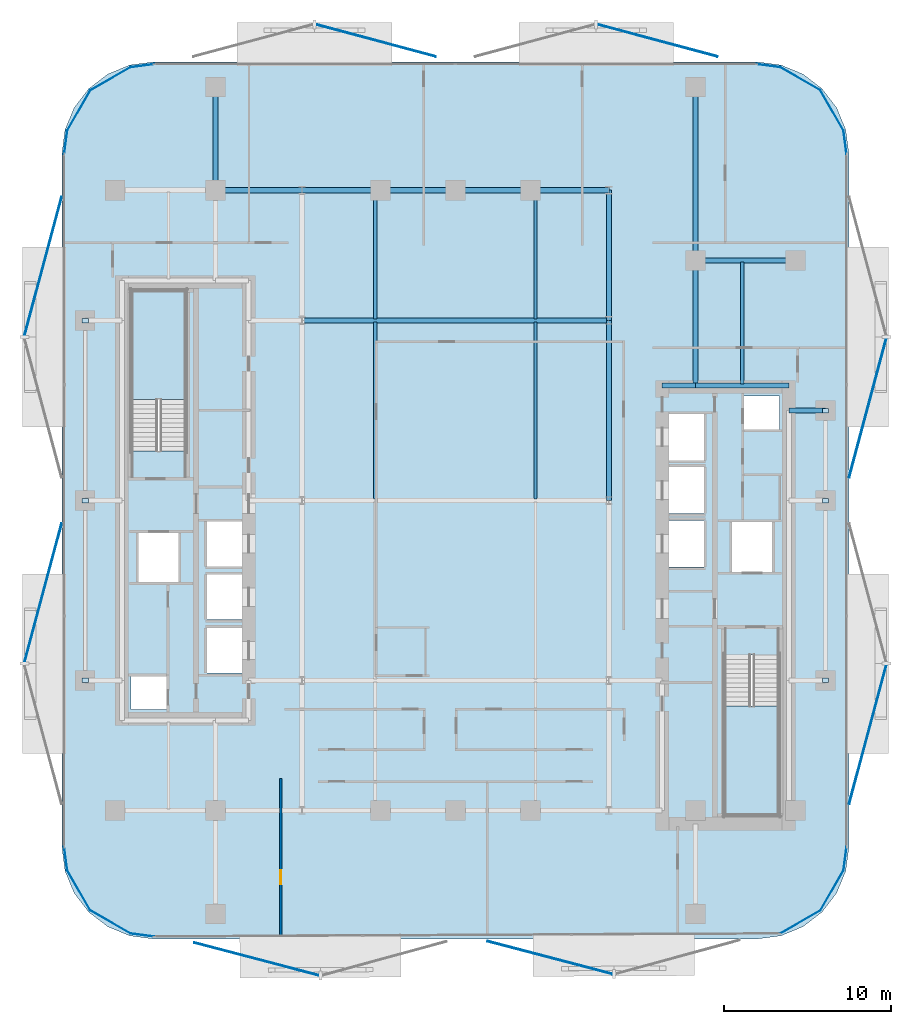
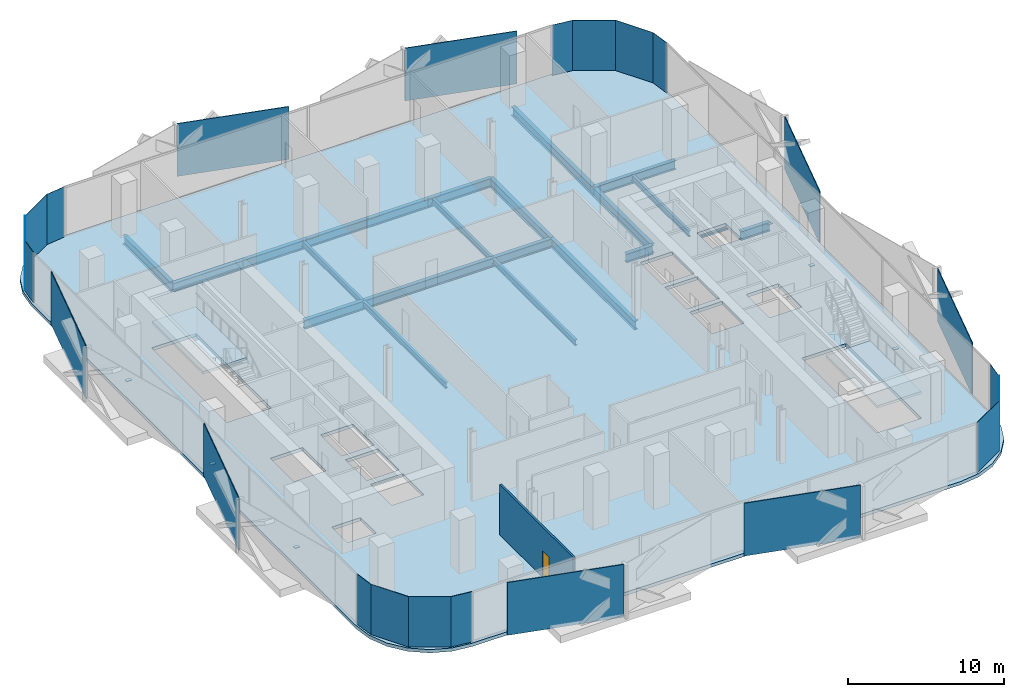
# One storey, part 2 of 15: 29 plates, 20 beams, 3 slabs, 1 door, 1 wall, 1 opening, 2 elements without a shape of their own.
"""IFC4 building model written with IfcOpenShell, lengths in metres."""

from ifc_helpers import new_model, si_unit, direction, frame, frame_2d, origin, origin_2d, place, context, subcontext, project, spatial, polyline, rectangle, i_section, outline, extrude, material, layer, layer_set, material_profile, profile_set, type_object, element, fill, aggregate, save


model = new_model("IFC4")

# Units and contexts
model_context = context("Model", 3, precision=1e-05, world=origin(), true_north=direction((0.0, 1.0)))
body_context = subcontext(model_context, "Body", "Model", "MODEL_VIEW")
ifc_project = project(units=[si_unit("LENGTHUNIT", "METRE"), si_unit("AREAUNIT", "SQUARE_METRE"), si_unit("VOLUMEUNIT", "CUBIC_METRE"), si_unit("PLANEANGLEUNIT", "RADIAN"), si_unit("MASSUNIT", "GRAM", prefix="KILO")], contexts=[model_context])

# Site, building, storey
site_placement = place(None, origin())
site = spatial("IfcSite", under=ifc_project, at=site_placement, CompositionType="ELEMENT")
building_placement = place(site_placement, origin())
building = spatial("IfcBuilding", under=site, at=building_placement, Name="Khairoan Windgate Tower", CompositionType="ELEMENT")
storey_placement = place(building_placement, frame((0.0, 0.0, 122.60009765625)))
storey = spatial("IfcBuildingStorey", under=building, at=storey_placement, Name="L28", CompositionType="ELEMENT", Elevation=122.60009765625)

# Beams
ifc_material_1 = material(Name="Steel S355", Category="steel")
ifc_material_profile_1 = material_profile(ifc_material_1, i_section(OverallWidth=0.300048828125, OverallDepth=0.699951171875, WebThickness=0.012939453125, FlangeThickness=0.02392578125, FilletRadius=0.02587890625, at=origin_2d()))
ifc_profile_set_1 = profile_set([ifc_material_profile_1], Name="Steel S355")
beam_type_1 = type_object("IfcBeamType", Name="Beam B-G3 H700x300x13x24", PredefinedType="BEAM", material=ifc_profile_set_1)
beam_1_placement = place(storey_placement, frame((20.0, 5.39990234375, -0.610107421875), z_axis=(1.0, 0.0, 0.0), x_axis=(0.0, 1.0, 0.0)))
element("IfcBeam", 1, at=beam_1_placement, inside=storey, type_object=beam_type_1, Name="L28 E-W Primary Girder 19", PredefinedType="BEAM", context=body_context, shape_type="SweptSolid", body=[
    extrude(i_section(OverallWidth=0.300048828125, OverallDepth=0.699951171875, WebThickness=0.012939453125, FlangeThickness=0.02392578125, FilletRadius=0.02587890625, at=origin_2d()), origin(), (0.0, 0.0, 1.0), 2.199951171875),
])
beam_2_placement = place(storey_placement, frame((12.39990234375, 6.89990234375, -0.610107421875), z_axis=(1.0, 0.0, 0.0), x_axis=(0.0, 1.0, 0.0)))
element("IfcBeam", 2, at=beam_2_placement, inside=storey, type_object=beam_type_1, Name="L28 E-W Primary Girder 20", PredefinedType="BEAM", context=body_context, shape_type="SweptSolid", body=[
    extrude(i_section(OverallWidth=0.300048828125, OverallDepth=0.699951171875, WebThickness=0.012939453125, FlangeThickness=0.02392578125, FilletRadius=0.02587890625, at=origin_2d()), origin(), (0.0, 0.0, 1.0), 2.0),
])
beam_3_placement = place(storey_placement, frame((14.39990234375, 6.89990234375, -0.610107421875), z_axis=(1.0, 0.0, 0.0), x_axis=(0.0, 1.0, 0.0)))
element("IfcBeam", 3, at=beam_3_placement, inside=storey, type_object=beam_type_1, Name="L28 E-W Primary Girder 21", PredefinedType="BEAM", context=body_context, shape_type="SweptSolid", body=[
    extrude(i_section(OverallWidth=0.300048828125, OverallDepth=0.699951171875, WebThickness=0.012939453125, FlangeThickness=0.02392578125, FilletRadius=0.02587890625, at=origin_2d()), origin(), (0.0, 0.0, 1.0), 5.60009765625),
])
beam_4_placement = place(storey_placement, frame((-9.199951171875, 10.800048828125, -0.610107421875), z_axis=(1.0, 0.0, 0.0), x_axis=(0.0, 1.0, 0.0)))
element("IfcBeam", 4, at=beam_4_placement, inside=storey, type_object=beam_type_1, Name="L28 E-W Primary Girder 24", PredefinedType="BEAM", context=body_context, shape_type="SweptSolid", body=[
    extrude(i_section(OverallWidth=0.300048828125, OverallDepth=0.699951171875, WebThickness=0.012939453125, FlangeThickness=0.02392578125, FilletRadius=0.02587890625, at=origin_2d()), origin(), (0.0, 0.0, 1.0), 18.39990234375),
])
beam_5_placement = place(storey_placement, frame((14.39990234375, 14.39990234375, -0.610107421875), z_axis=(1.0, 0.0, 0.0), x_axis=(0.0, 1.0, 0.0)))
element("IfcBeam", 5, at=beam_5_placement, inside=storey, type_object=beam_type_1, Name="L28 E-W Primary Girder 27", PredefinedType="BEAM", context=body_context, shape_type="SweptSolid", body=[
    extrude(i_section(OverallWidth=0.300048828125, OverallDepth=0.699951171875, WebThickness=0.012939453125, FlangeThickness=0.02392578125, FilletRadius=0.02587890625, at=origin_2d()), origin(), (0.0, 0.0, 1.0), 6.0),
])
beam_6_placement = place(storey_placement, frame((-14.39990234375, 18.60009765625, -0.610107421875), z_axis=(1.0, 0.0, 0.0), x_axis=(0.0, 1.0, 0.0)))
element("IfcBeam", 6, at=beam_6_placement, inside=storey, type_object=beam_type_1, Name="L28 E-W Primary Girder 29", PredefinedType="BEAM", context=body_context, shape_type="SweptSolid", body=[
    extrude(i_section(OverallWidth=0.300048828125, OverallDepth=0.699951171875, WebThickness=0.012939453125, FlangeThickness=0.02392578125, FilletRadius=0.02587890625, at=origin_2d()), origin(), (0.0, 0.0, 1.0), 5.199951171875),
])
beam_7_placement = place(storey_placement, frame((-9.199951171875, 18.60009765625, -0.610107421875), z_axis=(1.0, 0.0, 0.0), x_axis=(0.0, 1.0, 0.0)))
element("IfcBeam", 7, at=beam_7_placement, inside=storey, type_object=beam_type_1, Name="L28 E-W Primary Girder 30", PredefinedType="BEAM", context=body_context, shape_type="SweptSolid", body=[
    extrude(i_section(OverallWidth=0.300048828125, OverallDepth=0.699951171875, WebThickness=0.012939453125, FlangeThickness=0.02392578125, FilletRadius=0.02587890625, at=origin_2d()), origin(), (0.0, 0.0, 1.0), 4.699951171875),
])
for number, where, z_axis, x_axis, name in (
    (8, (-4.5, 18.60009765625, -0.610107421875), (1.0, 0.0, 0.0), (0.0, 1.0, 0.0), "L28 E-W Primary Girder 31"),
    (9, (0.0, 18.60009765625, -0.610107421875), (1.0, 0.0, 0.0), (0.0, 1.0, 0.0), "L28 E-W Primary Girder 32"),
):
    element("IfcBeam", number, at=place(storey_placement, frame(where, z_axis=z_axis, x_axis=x_axis)), inside=storey, type_object=beam_type_1, Name=name, PredefinedType="BEAM", context=body_context, shape_type="SweptSolid", body=[
        extrude(i_section(OverallWidth=0.300048828125, OverallDepth=0.699951171875, WebThickness=0.012939453125, FlangeThickness=0.02392578125, FilletRadius=0.02587890625, at=origin_2d()), origin(), (0.0, 0.0, 1.0), 4.5),
    ])
beam_8_placement = place(storey_placement, frame((4.5, 18.60009765625, -0.610107421875), z_axis=(1.0, 0.0, 0.0), x_axis=(0.0, 1.0, 0.0)))
element("IfcBeam", 10, at=beam_8_placement, inside=storey, type_object=beam_type_1, Name="L28 E-W Primary Girder 33", PredefinedType="BEAM", context=body_context, shape_type="SweptSolid", body=[
    extrude(i_section(OverallWidth=0.300048828125, OverallDepth=0.699951171875, WebThickness=0.012939453125, FlangeThickness=0.02392578125, FilletRadius=0.02587890625, at=origin_2d()), origin(), (0.0, 0.0, 1.0), 4.699951171875),
])
beam_9_placement = place(storey_placement, frame((-14.39990234375, 18.60009765625, -0.610107421875), z_axis=(0.0, 1.0, 0.0), x_axis=(-1.0, 0.0, 0.0)))
element("IfcBeam", 11, at=beam_9_placement, inside=storey, type_object=beam_type_1, Name="L28 N-S Primary Beam 43", PredefinedType="BEAM", context=body_context, shape_type="SweptSolid", body=[
    extrude(i_section(OverallWidth=0.300048828125, OverallDepth=0.699951171875, WebThickness=0.012939453125, FlangeThickness=0.02392578125, FilletRadius=0.02587890625, at=origin_2d()), origin(), (0.0, 0.0, 1.0), 6.199951171875),
])
beam_10_placement = place(storey_placement, frame((9.199951171875, 0.0, -0.610107421875), z_axis=(0.0, 1.0, 0.0), x_axis=(-1.0, 0.0, 0.0)))
element("IfcBeam", 12, at=beam_10_placement, inside=storey, type_object=beam_type_1, Name="L28 N-S Primary Beam 53", PredefinedType="BEAM", context=body_context, shape_type="SweptSolid", body=[
    extrude(i_section(OverallWidth=0.300048828125, OverallDepth=0.699951171875, WebThickness=0.012939453125, FlangeThickness=0.02392578125, FilletRadius=0.02587890625, at=origin_2d()), origin(), (0.0, 0.0, 1.0), 10.800048828125),
])
beam_11_placement = place(storey_placement, frame((9.199951171875, 10.800048828125, -0.610107421875), z_axis=(0.0, 1.0, 0.0), x_axis=(-1.0, 0.0, 0.0)))
element("IfcBeam", 13, at=beam_11_placement, inside=storey, type_object=beam_type_1, Name="L28 N-S Primary Beam 54", PredefinedType="BEAM", context=body_context, shape_type="SweptSolid", body=[
    extrude(i_section(OverallWidth=0.300048828125, OverallDepth=0.699951171875, WebThickness=0.012939453125, FlangeThickness=0.02392578125, FilletRadius=0.02587890625, at=origin_2d()), origin(), (0.0, 0.0, 1.0), 7.800048828125),
])
beam_12_placement = place(storey_placement, frame((14.39990234375, 6.89990234375, -0.610107421875), z_axis=(0.0, 1.0, 0.0), x_axis=(-1.0, 0.0, 0.0)))
element("IfcBeam", 14, at=beam_12_placement, inside=storey, type_object=beam_type_1, Name="L28 N-S Primary Beam 57", PredefinedType="BEAM", context=body_context, shape_type="SweptSolid", body=[
    extrude(i_section(OverallWidth=0.300048828125, OverallDepth=0.699951171875, WebThickness=0.012939453125, FlangeThickness=0.02392578125, FilletRadius=0.02587890625, at=origin_2d()), origin(), (0.0, 0.0, 1.0), 7.5),
])
beam_13_placement = place(storey_placement, frame((14.39990234375, 14.39990234375, -0.610107421875), z_axis=(0.0, 1.0, 0.0), x_axis=(-1.0, 0.0, 0.0)))
element("IfcBeam", 15, at=beam_13_placement, inside=storey, type_object=beam_type_1, Name="L28 N-S Primary Beam 58", PredefinedType="BEAM", context=body_context, shape_type="SweptSolid", body=[
    extrude(i_section(OverallWidth=0.300048828125, OverallDepth=0.699951171875, WebThickness=0.012939453125, FlangeThickness=0.02392578125, FilletRadius=0.02587890625, at=origin_2d()), origin(), (0.0, 0.0, 1.0), 10.400146484375),
])
ifc_material_2 = material(Name="Steel S355", Category="steel")
ifc_material_profile_2 = material_profile(ifc_material_2, i_section(OverallWidth=0.199951171875, OverallDepth=0.449951171875, WebThickness=0.009033203125, FlangeThickness=0.013916015625, FilletRadius=0.01806640625, at=origin_2d()))
ifc_profile_set_2 = profile_set([ifc_material_profile_2], Name="Steel S355")
beam_type_2 = type_object("IfcBeamType", Name="Beam J-S3 H450x200x9x14", PredefinedType="JOIST", material=ifc_profile_set_2)
beam_14_placement = place(storey_placement, frame((-4.800048828125, 0.090087890625, -0.485107421875), z_axis=(0.0, 1.0, 0.0), x_axis=(-1.0, 0.0, 0.0)))
element("IfcBeam", 16, at=beam_14_placement, inside=storey, type_object=beam_type_2, Name="L28 Secondary Floor Joist 05", PredefinedType="JOIST", context=body_context, shape_type="SweptSolid", body=[
    extrude(i_section(OverallWidth=0.199951171875, OverallDepth=0.449951171875, WebThickness=0.009033203125, FlangeThickness=0.013916015625, FilletRadius=0.01806640625, at=origin_2d()), origin(), (0.0, 0.0, 1.0), 10.619873046875),
])
beam_15_placement = place(storey_placement, frame((-4.800048828125, 10.889892578125, -0.485107421875), z_axis=(0.0, 1.0, 0.0), x_axis=(-1.0, 0.0, 0.0)))
element("IfcBeam", 17, at=beam_15_placement, inside=storey, type_object=beam_type_2, Name="L28 Secondary Floor Joist 06", PredefinedType="JOIST", context=body_context, shape_type="SweptSolid", body=[
    extrude(i_section(OverallWidth=0.199951171875, OverallDepth=0.449951171875, WebThickness=0.009033203125, FlangeThickness=0.013916015625, FilletRadius=0.01806640625, at=origin_2d()), origin(), (0.0, 0.0, 1.0), 7.6201171875),
])
beam_16_placement = place(storey_placement, frame((4.800048828125, 0.090087890625, -0.485107421875), z_axis=(0.0, 1.0, 0.0), x_axis=(-1.0, 0.0, 0.0)))
element("IfcBeam", 18, at=beam_16_placement, inside=storey, type_object=beam_type_2, Name="L28 Secondary Floor Joist 09", PredefinedType="JOIST", context=body_context, shape_type="SweptSolid", body=[
    extrude(i_section(OverallWidth=0.199951171875, OverallDepth=0.449951171875, WebThickness=0.009033203125, FlangeThickness=0.013916015625, FilletRadius=0.01806640625, at=origin_2d()), origin(), (0.0, 0.0, 1.0), 10.619873046875),
])
beam_17_placement = place(storey_placement, frame((4.800048828125, 10.889892578125, -0.485107421875), z_axis=(0.0, 1.0, 0.0), x_axis=(-1.0, 0.0, 0.0)))
element("IfcBeam", 19, at=beam_17_placement, inside=storey, type_object=beam_type_2, Name="L28 Secondary Floor Joist 10", PredefinedType="JOIST", context=body_context, shape_type="SweptSolid", body=[
    extrude(i_section(OverallWidth=0.199951171875, OverallDepth=0.449951171875, WebThickness=0.009033203125, FlangeThickness=0.013916015625, FilletRadius=0.01806640625, at=origin_2d()), origin(), (0.0, 0.0, 1.0), 7.6201171875),
])
beam_18_placement = place(storey_placement, frame((17.199951171875, 6.989990234375, -0.485107421875), z_axis=(0.0, 1.0, 0.0), x_axis=(-1.0, 0.0, 0.0)))
element("IfcBeam", 20, at=beam_18_placement, inside=storey, type_object=beam_type_2, Name="L28 Secondary Floor Joist 11", PredefinedType="JOIST", context=body_context, shape_type="SweptSolid", body=[
    extrude(i_section(OverallWidth=0.199951171875, OverallDepth=0.449951171875, WebThickness=0.009033203125, FlangeThickness=0.013916015625, FilletRadius=0.01806640625, at=origin_2d()), origin(), (0.0, 0.0, 1.0), 7.320068359375),
])

# Plates
ifc_material_3 = material(Name="Low-E Solar Control Laminated Glass", Category="glass")
ifc_layer_1 = layer(ifc_material_3, 0.030029296875, Name="Low-E Solar Control Laminated Glass")
ifc_layer_set_1 = layer_set([ifc_layer_1], Name="Low-E Solar Control Laminated Glass")
plate_type_1 = type_object("IfcPlateType", Name="Aerodynamic Wind-Corner Curved Glazing Plate", PredefinedType="USERDEFINED", material=ifc_layer_set_1)
plate_placement = place(storey_placement, frame((-18.788818359375, -26.068115234375, 0.0), z_axis=(0.0, 0.0, 1.0), x_axis=(-0.991444861374, 0.13052619222, 0.0)))
element("IfcPlate", 21, at=plate_placement, inside=storey, type_object=plate_type_1, Name="L28 Aerodynamic Wind-Corner Curved Glazing Panel 2", ObjectType="GLAZING PANEL", PredefinedType="USERDEFINED", context=body_context, shape_type="SweptSolid", body=[
    extrude(rectangle(XDim=1.4482421875, YDim=0.028076171875, at=origin_2d()), origin(), (0.0, 0.0, 1.0), 3.93994140625),
])
for number, where, z_axis, x_axis, name in (
    (22, (-20.688232421875, -25.28271484375, 0.0), (0.0, 0.0, 1.0), (-0.866025403784, 0.5, 0.0), "L28 Aerodynamic Wind-Corner Curved Glazing Panel 3"),
    (23, (-22.582763671875, -23.38818359375, 0.0), (0.0, 0.0, 1.0), (-0.5, 0.866025403784, 0.0), "L28 Aerodynamic Wind-Corner Curved Glazing Panel 4"),
):
    element("IfcPlate", number, at=place(storey_placement, frame(where, z_axis=z_axis, x_axis=x_axis)), inside=storey, type_object=plate_type_1, Name=name, ObjectType="GLAZING PANEL", PredefinedType="USERDEFINED", context=body_context, shape_type="SweptSolid", body=[
        extrude(rectangle(XDim=2.81396484375, YDim=0.028076171875, at=origin_2d()), origin(), (0.0, 0.0, 1.0), 3.93994140625),
    ])
for number, where, z_axis, x_axis, name in (
    (24, (-23.3681640625, -21.489013671875, 0.0), (0.0, 0.0, 1.0), (-0.13052619222, 0.991444861374, 0.0), "L28 Aerodynamic Wind-Corner Curved Glazing Panel 5"),
    (25, (-23.3681640625, 21.489013671875, 0.0), (0.0, 0.0, 1.0), (0.13052619222, 0.991444861374, 0.0), "L28 Aerodynamic Wind-Corner Curved Glazing Panel 7"),
):
    element("IfcPlate", number, at=place(storey_placement, frame(where, z_axis=z_axis, x_axis=x_axis)), inside=storey, type_object=plate_type_1, Name=name, ObjectType="GLAZING PANEL", PredefinedType="USERDEFINED", context=body_context, shape_type="SweptSolid", body=[
        extrude(rectangle(XDim=1.4482421875, YDim=0.028076171875, at=origin_2d()), origin(), (0.0, 0.0, 1.0), 3.93994140625),
    ])
for number, where, z_axis, x_axis, name in (
    (26, (-22.582763671875, 23.38818359375, 0.0), (0.0, 0.0, 1.0), (0.5, 0.866025403784, 0.0), "L28 Aerodynamic Wind-Corner Curved Glazing Panel 8"),
    (27, (-20.688232421875, 25.28271484375, 0.0), (0.0, 0.0, 1.0), (0.866025403784, 0.5, 0.0), "L28 Aerodynamic Wind-Corner Curved Glazing Panel 9"),
):
    element("IfcPlate", number, at=place(storey_placement, frame(where, z_axis=z_axis, x_axis=x_axis)), inside=storey, type_object=plate_type_1, Name=name, ObjectType="GLAZING PANEL", PredefinedType="USERDEFINED", context=body_context, shape_type="SweptSolid", body=[
        extrude(rectangle(XDim=2.81396484375, YDim=0.028076171875, at=origin_2d()), origin(), (0.0, 0.0, 1.0), 3.93994140625),
    ])
for number, where, z_axis, x_axis, name in (
    (28, (-18.788818359375, 26.068115234375, 0.0), (0.0, 0.0, 1.0), (0.991444861374, 0.13052619222, 0.0), "L28 Aerodynamic Wind-Corner Curved Glazing Panel 10"),
    (29, (18.788818359375, 26.068115234375, 0.0), (0.0, 0.0, 1.0), (0.991444861374, -0.13052619222, 0.0), "L28 Aerodynamic Wind-Corner Curved Glazing Panel 12"),
):
    element("IfcPlate", number, at=place(storey_placement, frame(where, z_axis=z_axis, x_axis=x_axis)), inside=storey, type_object=plate_type_1, Name=name, ObjectType="GLAZING PANEL", PredefinedType="USERDEFINED", context=body_context, shape_type="SweptSolid", body=[
        extrude(rectangle(XDim=1.4482421875, YDim=0.028076171875, at=origin_2d()), origin(), (0.0, 0.0, 1.0), 3.93994140625),
    ])
for number, where, z_axis, x_axis, name in (
    (30, (20.688232421875, 25.28271484375, 0.0), (0.0, 0.0, 1.0), (0.866025403784, -0.5, 0.0), "L28 Aerodynamic Wind-Corner Curved Glazing Panel 13"),
    (31, (22.582763671875, 23.38818359375, 0.0), (0.0, 0.0, 1.0), (0.5, -0.866025403784, 0.0), "L28 Aerodynamic Wind-Corner Curved Glazing Panel 14"),
):
    element("IfcPlate", number, at=place(storey_placement, frame(where, z_axis=z_axis, x_axis=x_axis)), inside=storey, type_object=plate_type_1, Name=name, ObjectType="GLAZING PANEL", PredefinedType="USERDEFINED", context=body_context, shape_type="SweptSolid", body=[
        extrude(rectangle(XDim=2.81396484375, YDim=0.028076171875, at=origin_2d()), origin(), (0.0, 0.0, 1.0), 3.93994140625),
    ])
for number, where, z_axis, x_axis, name in (
    (32, (23.3681640625, 21.489013671875, 0.0), (0.0, 0.0, 1.0), (0.13052619222, -0.991444861374, 0.0), "L28 Aerodynamic Wind-Corner Curved Glazing Panel 15"),
    (33, (23.3681640625, -21.489013671875, 0.0), (0.0, 0.0, 1.0), (-0.13052619222, -0.991444861374, 0.0), "L28 Aerodynamic Wind-Corner Curved Glazing Panel 17"),
):
    element("IfcPlate", number, at=place(storey_placement, frame(where, z_axis=z_axis, x_axis=x_axis)), inside=storey, type_object=plate_type_1, Name=name, ObjectType="GLAZING PANEL", PredefinedType="USERDEFINED", context=body_context, shape_type="SweptSolid", body=[
        extrude(rectangle(XDim=1.4482421875, YDim=0.028076171875, at=origin_2d()), origin(), (0.0, 0.0, 1.0), 3.93994140625),
    ])
for number, where, z_axis, x_axis, name in (
    (34, (22.582763671875, -23.38818359375, 0.0), (0.0, 0.0, 1.0), (-0.5, -0.866025403784, 0.0), "L28 Aerodynamic Wind-Corner Curved Glazing Panel 18"),
    (35, (20.688232421875, -25.28271484375, 0.0), (0.0, 0.0, 1.0), (-0.866025403784, -0.5, 0.0), "L28 Aerodynamic Wind-Corner Curved Glazing Panel 19"),
):
    element("IfcPlate", number, at=place(storey_placement, frame(where, z_axis=z_axis, x_axis=x_axis)), inside=storey, type_object=plate_type_1, Name=name, ObjectType="GLAZING PANEL", PredefinedType="USERDEFINED", context=body_context, shape_type="SweptSolid", body=[
        extrude(rectangle(XDim=2.81396484375, YDim=0.028076171875, at=origin_2d()), origin(), (0.0, 0.0, 1.0), 3.93994140625),
    ])
ifc_material_4 = material(Name="Steel S355", Category="steel")
ifc_layer_2 = layer(ifc_material_4, 0.0400390625, Name="Steel S355")
ifc_layer_set_2 = layer_set([ifc_layer_2], Name="Steel S355")
plate_type_2 = type_object("IfcPlateType", Name="Hollow Section End-Cap Plate PL-CAP40", PredefinedType="SHEET", material=ifc_layer_set_2)
for number, where, z_axis, x_axis, name in (
    (36, (-22.199951171875, -10.784912109375, -0.455078125), (0.0, 0.0, 1.0), (0.0, 1.0, 0.0), "BM-SP-L28-034 steel end-cap plate 1"),
    (37, (-22.199951171875, -0.014892578125, -0.455078125), (0.0, 0.0, 1.0), (0.0, 1.0, 0.0), "BM-SP-L28-034 steel end-cap plate 2"),
    (38, (-22.199951171875, 10.784912109375, -0.455078125), (0.0, 0.0, 1.0), (0.0, 1.0, 0.0), "BM-SP-L28-035 steel end-cap plate 2"),
    (39, (22.199951171875, -10.784912109375, -0.455078125), (0.0, 0.0, 1.0), (0.0, 1.0, 0.0), "BM-SP-L28-062 steel end-cap plate 1"),
    (40, (22.199951171875, -0.014892578125, -0.455078125), (0.0, 0.0, 1.0), (0.0, 1.0, 0.0), "BM-SP-L28-062 steel end-cap plate 2"),
    (41, (22.199951171875, 5.385009765625, -0.455078125), (0.0, 0.0, 1.0), (0.0, 1.0, 0.0), "BM-SP-L28-063 steel end-cap plate 2"),
):
    element("IfcPlate", number, at=place(storey_placement, frame(where, z_axis=z_axis, x_axis=x_axis)), inside=storey, type_object=plate_type_2, Name=name, PredefinedType="SHEET", context=body_context, shape_type="SweptSolid", body=[
        extrude(rectangle(XDim=0.27001953125, YDim=0.3701171875, at=origin_2d()), origin(), (0.0, 0.0, 1.0), 0.0400390625),
    ])
ifc_material_5 = material(Name="Anodised Bronze Aluminium 6063-T6", Category="aluminium")
ifc_layer_3 = layer(ifc_material_5, 0.054931640625, Name="Anodised Bronze Aluminium 6063-T6")
ifc_layer_set_3 = layer_set([ifc_layer_3], Name="Anodised Bronze Aluminium 6063-T6")
plate_type_3 = type_object("IfcPlateType", Name="Perforated Bronze Solar Screen Panel BSP-1", PredefinedType="USERDEFINED", material=ifc_layer_set_3)
for number, where, z_axis, x_axis, name in (
    (42, (5.671630859375, -27.42236328125, -0.10009765625), (0.0, 0.0, 1.0), (-0.967179115616, 0.254095569259, 0.0), "L28 Perforated Bronze Solar Screen Panel 169R"),
    (43, (-11.917236328125, -27.50830078125, -0.10009765625), (0.0, 0.0, 1.0), (-0.967179115616, 0.254095569259, 0.0), "L28 Perforated Bronze Solar Screen Panel 170R"),
):
    element("IfcPlate", number, at=place(storey_placement, frame(where, z_axis=z_axis, x_axis=x_axis)), inside=storey, type_object=plate_type_3, Name=name, ObjectType="SCREEN", PredefinedType="USERDEFINED", context=body_context, shape_type="SweptSolid", body=[
        extrude(rectangle(XDim=7.739013671875, YDim=0.054931640625, at=origin_2d()), origin(), (0.0, 0.0, 1.0), 4.139892578125),
    ])
for number, where, z_axis, x_axis, name in (
    (44, (-24.724609375, -5.542236328125, -0.10009765625), (0.0, 0.0, 1.0), (0.258819045103, 0.965925826289, 0.0), "L28 Perforated Bronze Solar Screen Panel 171R"),
    (45, (-24.724609375, 14.048583984375, -0.10009765625), (0.0, 0.0, 1.0), (0.258819045103, 0.965925826289, 0.0), "L28 Perforated Bronze Solar Screen Panel 172R"),
):
    element("IfcPlate", number, at=place(storey_placement, frame(where, z_axis=z_axis, x_axis=x_axis)), inside=storey, type_object=plate_type_3, Name=name, ObjectType="SCREEN", PredefinedType="USERDEFINED", context=body_context, shape_type="SweptSolid", body=[
        extrude(rectangle(XDim=8.6201171875, YDim=0.054931640625, at=origin_2d()), origin(), (0.0, 0.0, 1.0), 4.139892578125),
    ])
for number, where, z_axis, x_axis, name in (
    (46, (-4.76611328125, 27.578125, -0.10009765625), (0.0, 0.0, 1.0), (0.965925826289, -0.258819045103, 0.0), "L28 Perforated Bronze Solar Screen Panel 173R"),
    (47, (12.124755859375, 27.578125, -0.10009765625), (0.0, 0.0, 1.0), (0.965925826289, -0.258819045103, 0.0), "L28 Perforated Bronze Solar Screen Panel 174R"),
):
    element("IfcPlate", number, at=place(storey_placement, frame(where, z_axis=z_axis, x_axis=x_axis)), inside=storey, type_object=plate_type_3, Name=name, ObjectType="SCREEN", PredefinedType="USERDEFINED", context=body_context, shape_type="SweptSolid", body=[
        extrude(rectangle(XDim=7.431884765625, YDim=0.054931640625, at=origin_2d()), origin(), (0.0, 0.0, 1.0), 4.139892578125),
    ])
for number, where, z_axis, x_axis, name in (
    (48, (24.724609375, 5.542236328125, -0.10009765625), (0.0, 0.0, 1.0), (-0.258819045103, -0.965925826289, 0.0), "L28 Perforated Bronze Solar Screen Panel 175R"),
    (49, (24.724609375, -14.048583984375, -0.10009765625), (0.0, 0.0, 1.0), (-0.258819045103, -0.965925826289, 0.0), "L28 Perforated Bronze Solar Screen Panel 176R"),
):
    element("IfcPlate", number, at=place(storey_placement, frame(where, z_axis=z_axis, x_axis=x_axis)), inside=storey, type_object=plate_type_3, Name=name, ObjectType="SCREEN", PredefinedType="USERDEFINED", context=body_context, shape_type="SweptSolid", body=[
        extrude(rectangle(XDim=8.6201171875, YDim=0.054931640625, at=origin_2d()), origin(), (0.0, 0.0, 1.0), 4.139892578125),
    ])

# Stair, slab
ifc_material_6 = material(Name="Concrete C40/50", Category="concrete")
stair_type = type_object("IfcStairType", Name="Tower Core Dog-Leg Stair ST-T1 1560mm", PredefinedType="HALF_TURN_STAIR", material=ifc_material_6)
stair_1_placement = place(storey_placement, origin())
stair_1 = element("IfcStair", 50, at=stair_1_placement, inside=storey, type_object=stair_type, Name="L28 Stair ST1", PredefinedType="HALF_TURN_STAIR")
ifc_material_7 = material(Name="Concrete C40/50", Category="concrete")
ifc_layer_4 = layer(ifc_material_7, 0.199951171875, Name="Concrete C40/50")
ifc_layer_set_4 = layer_set([ifc_layer_4], Name="Concrete C40/50")
slab_type_1 = type_object("IfcSlabType", Name="Reinforced Concrete Stair Landing Slab STL-200", PredefinedType="LANDING", material=ifc_layer_set_4)
slab_1_placement = place(storey_placement, frame((0.0, 0.0, 1.89990234375)))
slab_1 = element("IfcSlab", 51, at=slab_1_placement, type_object=slab_type_1, Name="ST1 landing 1", PredefinedType="LANDING", context=body_context, shape_type="SweptSolid", body=[
    extrude(outline(polyline([(16.14990234375, -12.340087890625), (16.14990234375, -18.89990234375), (19.419921875, -18.89990234375), (19.419921875, -12.340087890625), (16.14990234375, -12.340087890625)])), origin(), (0.0, 0.0, 1.0), 0.199951171875),
])
aggregate(stair_1, [slab_1])

stair_2_placement = place(storey_placement, origin())
stair_2 = element("IfcStair", 52, at=stair_2_placement, inside=storey, type_object=stair_type, Name="L28 Stair ST2", PredefinedType="HALF_TURN_STAIR")
slab_2_placement = place(storey_placement, frame((0.0, 0.0, 1.89990234375)))
slab_2 = element("IfcSlab", 53, at=slab_2_placement, type_object=slab_type_1, Name="ST2 landing 1", PredefinedType="LANDING", context=body_context, shape_type="SweptSolid", body=[
    extrude(outline(polyline([(-16.14990234375, 6.0400390625), (-16.14990234375, 12.60009765625), (-19.419921875, 12.60009765625), (-19.419921875, 6.0400390625), (-16.14990234375, 6.0400390625)])), origin(), (0.0, 0.0, 1.0), 0.199951171875),
])
aggregate(stair_2, [slab_2])

# Slab
ifc_material_8 = material(Name="Concrete C40/50", Category="concrete")
ifc_layer_5 = layer(ifc_material_8, 0.260009765625, Name="Concrete C40/50")
ifc_layer_set_5 = layer_set([ifc_layer_5], Name="Concrete C40/50")
slab_type_2 = type_object("IfcSlabType", Name="Tower Composite Floor Slab FS2 260mm", PredefinedType="FLOOR", material=ifc_layer_set_5)
slab_3_placement = place(storey_placement, frame((0.0, 0.0, -0.260009765625)))
element("IfcSlab", 54, at=slab_3_placement, inside=storey, type_object=slab_type_2, Name="L28 Structural Floor Slab", PredefinedType="FLOOR", context=body_context, shape_type="SweptSolid", body=[
    extrude(outline(polyline([(18.10009765625, -26.300048828125), (19.5234375, -26.112548828125), (20.85009765625, -25.56298828125), (21.989013671875, -24.689208984375), (22.863037109375, -23.550048828125), (23.41259765625, -22.223388671875), (23.60009765625, -20.800048828125), (23.60009765625, 20.800048828125), (23.41259765625, 22.223388671875), (22.863037109375, 23.550048828125), (21.989013671875, 24.689208984375), (20.85009765625, 25.56298828125), (19.5234375, 26.112548828125), (18.10009765625, 26.300048828125), (-18.10009765625, 26.300048828125), (-19.5234375, 26.112548828125), (-20.85009765625, 25.56298828125), (-21.989013671875, 24.689208984375), (-22.863037109375, 23.550048828125), (-23.41259765625, 22.223388671875), (-23.60009765625, 20.800048828125), (-23.60009765625, -20.800048828125), (-23.41259765625, -22.223388671875), (-22.863037109375, -23.550048828125), (-21.989013671875, -24.689208984375), (-20.85009765625, -25.56298828125), (-19.5234375, -26.112548828125), (-18.10009765625, -26.300048828125), (18.10009765625, -26.300048828125)]), holes=[polyline([(16.14990234375, -9.260009765625), (16.14990234375, -18.89990234375), (19.419921875, -18.89990234375), (19.419921875, -9.260009765625), (16.14990234375, -9.260009765625)]), polyline([(-16.14990234375, 2.9599609375), (-16.14990234375, 12.60009765625), (-19.419921875, 12.60009765625), (-19.419921875, 2.9599609375), (-16.14990234375, 2.9599609375)]), polyline([(-14.89990234375, -3.949951171875), (-12.5, -3.949951171875), (-12.5, -1.25), (-14.89990234375, -1.25), (-14.89990234375, -3.949951171875)]), polyline([(-14.89990234375, -7.14990234375), (-12.5, -7.14990234375), (-12.5, -4.449951171875), (-14.89990234375, -4.449951171875), (-14.89990234375, -7.14990234375)]), polyline([(-14.89990234375, -10.35009765625), (-12.5, -10.35009765625), (-12.5, -7.64990234375), (-14.89990234375, -7.64990234375), (-14.89990234375, -10.35009765625)]), polyline([(12.5, 2.39990234375), (14.89990234375, 2.39990234375), (14.89990234375, 5.199951171875), (12.5, 5.199951171875), (12.5, 2.39990234375)]), polyline([(12.5, -0.800048828125), (14.89990234375, -0.800048828125), (14.89990234375, 2.0), (12.5, 2.0), (12.5, -0.800048828125)]), polyline([(12.5, -4.0), (14.89990234375, -4.0), (14.89990234375, -1.199951171875), (12.5, -1.199951171875), (12.5, -4.0)]), polyline([(16.60009765625, -4.300048828125), (19.0, -4.300048828125), (19.0, -1.300048828125), (16.60009765625, -1.300048828125), (16.60009765625, -4.300048828125)]), polyline([(-19.0, -4.89990234375), (-16.60009765625, -4.89990234375), (-16.60009765625, -1.89990234375), (-19.0, -1.89990234375), (-19.0, -4.89990234375)]), polyline([(-19.449951171875, -12.550048828125), (-17.31005859375, -12.550048828125), (-17.31005859375, -10.550048828125), (-19.449951171875, -10.550048828125), (-19.449951171875, -12.550048828125)]), polyline([(17.31005859375, 4.25), (19.449951171875, 4.25), (19.449951171875, 6.25), (17.31005859375, 6.25), (17.31005859375, 4.25)])]), origin(), (0.0, 0.0, 1.0), 0.260009765625),
])

# Wall, opening, door
ifc_material_9 = material(Name="Acoustic Fire-Rated Gypsum Partition", Category="gypsum")
ifc_layer_6 = layer(ifc_material_9, 0.139892578125, Name="Acoustic Fire-Rated Gypsum Partition")
ifc_layer_set_6 = layer_set([ifc_layer_6], Name="Acoustic Fire-Rated Gypsum Partition")
wall_type = type_object("IfcWallType", Name="Inter-Tenancy Compartment Wall", PredefinedType="PARTITIONING", material=ifc_layer_set_6)
wall_placement = place(storey_placement, frame((-10.471923828125, -26.11767578125, 0.0), z_axis=(0.0, 0.0, 1.0), x_axis=(0.0, 1.0, 0.0)))
wall = element("IfcWall", 55, at=wall_placement, inside=storey, type_object=wall_type, Name="L28 Interior Partition 038", PredefinedType="PARTITIONING", context=body_context, shape_type="SweptSolid", body=[
    extrude(rectangle(XDim=9.437744140625, YDim=0.139892578125, at=frame_2d((4.71875, 0.0))), origin(), (0.0, 0.0, 1.0), 3.93994140625),
])
opening_placement = place(wall_placement, frame((3.083251953125, 0.0, 0.0)))
opening = element("IfcOpeningElement", 56, at=opening_placement, cuts=wall, Name="Opening FD-SRV", PredefinedType="OPENING", context=body_context, shape_type="SweptSolid", body=[
    extrude(rectangle(XDim=0.85009765625, YDim=2.10009765625, at=frame_2d((0.425048828125, 1.050048828125))), frame((0.0, 0.079833984375, 0.0), z_axis=(0.0, -1.0, 0.0), x_axis=(1.0, 0.0, 0.0)), (0.0, 0.0, 1.0), 0.159912109375),
])
ifc_material_10 = material(Name="Steel S355", Category="steel")
door_type = type_object("IfcDoorType", Name="Core Service and Riser Fire Door FD-SRV 850x2100", OperationType="NOTDEFINED", PredefinedType="DOOR", material=ifc_material_10)
door_placement = place(opening_placement, origin())
door = element("IfcDoor", 57, at=door_placement, inside=storey, type_object=door_type, Name="L28 L28-45-L28-46 Door", OperationType="SINGLE_SWING_RIGHT", OverallHeight=2.10009765625, OverallWidth=0.85009765625, PredefinedType="DOOR", context=body_context, shape_type="SweptSolid", body=[
    extrude(rectangle(XDim=0.85009765625, YDim=2.10009765625, at=frame_2d((0.425048828125, 1.050048828125))), frame((0.0, 0.02490234375, 0.0), z_axis=(0.0, -1.0, 0.0), x_axis=(1.0, 0.0, 0.0)), (0.0, 0.0, 1.0), 0.050048828125),
])
fill(opening, door)

save(model, "model.ifc")
